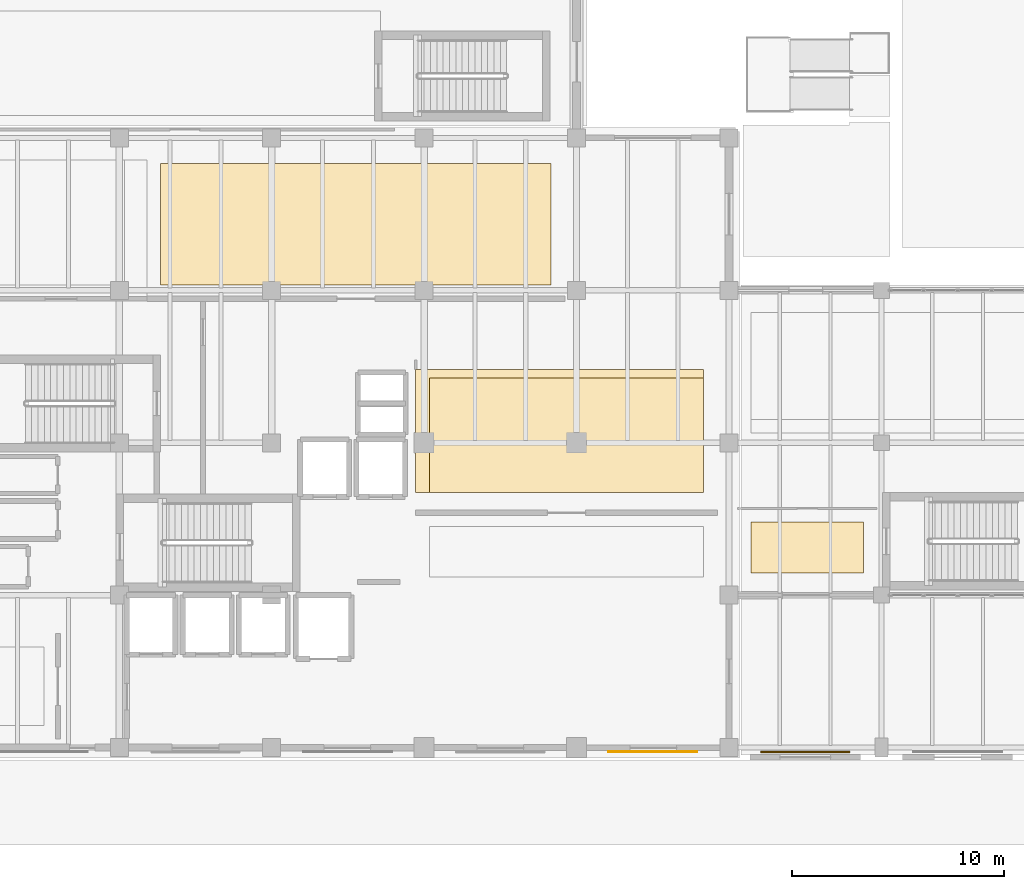
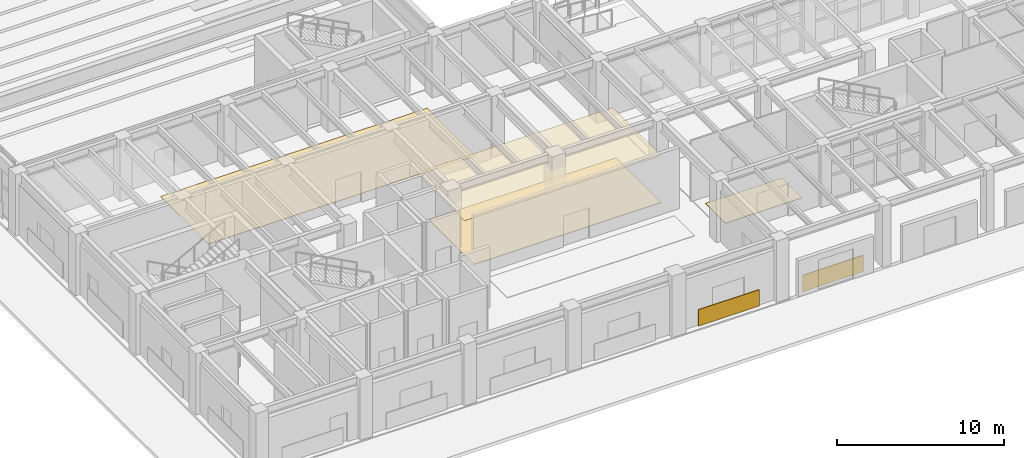
# One storey, part 34 of 39: 6 coverings.
"""IFC4 building model written with IfcOpenShell, lengths in metres."""

from ifc_helpers import new_model, si_unit, direction, frame, origin, origin_2d, place, context, subcontext, project, spatial, polyline, rectangle, outline, extrude, material, layer, layer_set, type_object, element, save


model = new_model("IFC4")

# Units and contexts
model_context = context("Model", 3, precision=1e-05, world=origin(), true_north=direction((0.0, 1.0)))
body_context = subcontext(model_context, "Body", "Model", "MODEL_VIEW")
ifc_project = project(units=[si_unit("LENGTHUNIT", "METRE"), si_unit("AREAUNIT", "SQUARE_METRE"), si_unit("VOLUMEUNIT", "CUBIC_METRE"), si_unit("PLANEANGLEUNIT", "RADIAN"), si_unit("MASSUNIT", "GRAM", prefix="KILO")], contexts=[model_context])

# Site, building, storey
site_placement = place(None, origin())
site = spatial("IfcSite", under=ifc_project, at=site_placement, CompositionType="ELEMENT")
building_placement = place(site_placement, origin())
building = spatial("IfcBuilding", under=site, at=building_placement, Name="Kandorven Conservatory and Botanical Research Centre", CompositionType="ELEMENT")
storey_placement = place(building_placement, origin())
storey = spatial("IfcBuildingStorey", under=building, at=storey_placement, Name="L00", CompositionType="ELEMENT", Elevation=0.0)

# Coverings
ifc_material_1 = material(Name="Dressed Dhrangadhra yellow sandstone cladding", Category="masonry")
ifc_layer_1 = layer(ifc_material_1, 0.044921875)
ifc_layer_set_1 = layer_set([ifc_layer_1], Name="Dressed Dhrangadhra yellow sandstone cladding")
covering_type_1 = type_object("IfcCoveringType", Name="Clad_Sandstone_1", PredefinedType="CLADDING", material=ifc_layer_set_1)
covering_1_placement = place(storey_placement, frame((38.39990234375, 5.797607421875, 0.0), z_axis=(0.0, 0.0, 1.0), x_axis=(1.0, 0.0, 0.0)))
element("IfcCovering", 1, at=covering_1_placement, inside=storey, type_object=covering_type_1, Name="Dhrangadhra sandstone plinth cladding panel S-05", PredefinedType="CLADDING", context=body_context, shape_type="SweptSolid", body=[
    extrude(rectangle(XDim=4.199951171875, YDim=0.044921875, at=origin_2d()), origin(), (0.0, 0.0, 1.0), 1.199951171875),
])
ifc_material_2 = material(Name="Dressed Dhrangadhra yellow sandstone cladding", Category="masonry")
ifc_layer_2 = layer(ifc_material_2, 0.054931640625)
ifc_layer_set_2 = layer_set([ifc_layer_2], Name="Dressed Dhrangadhra yellow sandstone cladding")
covering_type_2 = type_object("IfcCoveringType", Name="Clad_Sandstone_2", PredefinedType="CLADDING", material=ifc_layer_set_2)
covering_2_placement = place(storey_placement, frame((45.60009765625, 5.79248046875, 0.0), z_axis=(0.0, 0.0, 1.0), x_axis=(1.0, 0.0, 0.0)))
element("IfcCovering", 2, at=covering_2_placement, inside=storey, type_object=covering_type_2, Name="Dhrangadhra sandstone plinth cladding panel S-06", PredefinedType="CLADDING", context=body_context, shape_type="SweptSolid", body=[
    extrude(rectangle(XDim=4.199951171875, YDim=0.054931640625, at=origin_2d()), origin(), (0.0, 0.0, 1.0), 1.199951171875),
])
ifc_material_3 = material(Name="Perforated mineral-fibre acoustic ceiling tile", Category="gypsum")
ifc_layer_3 = layer(ifc_material_3, 0.0400390625)
ifc_layer_set_3 = layer_set([ifc_layer_3], Name="Perforated mineral-fibre acoustic ceiling tile")
covering_type_3 = type_object("IfcCoveringType", Name="Cov_Ceiling_1", PredefinedType="CEILING", material=ifc_layer_set_3)
covering_3_placement = place(storey_placement, frame((0.0, 0.0, 3.419921875)))
element("IfcCovering", 3, at=covering_3_placement, inside=storey, type_object=covering_type_3, Name="Suspended acoustic ceiling CLG-01 (Botanical Taxonomy Reception and Specimen Intake)", PredefinedType="CEILING", context=body_context, shape_type="SweptSolid", body=[
    extrude(outline(polyline([(27.199951171875, 18.050048828125), (40.800048828125, 18.050048828125), (40.800048828125, 23.85009765625), (27.199951171875, 23.85009765625), (27.199951171875, 18.050048828125)])), origin(), (0.0, 0.0, 1.0), 0.0400390625),
])
ifc_material_4 = material(Name="Honed Kota stone and epoxy laboratory flooring", Category="masonry")
ifc_layer_4 = layer(ifc_material_4, 0.02490234375)
ifc_layer_set_4 = layer_set([ifc_layer_4], Name="Honed Kota stone and epoxy laboratory flooring")
covering_type_4 = type_object("IfcCoveringType", Name="Cov_Flooring_1", PredefinedType="FLOORING", material=ifc_layer_set_4)
covering_4_placement = place(storey_placement, origin())
element("IfcCovering", 4, at=covering_4_placement, inside=storey, type_object=covering_type_4, Name="Floor finish FLR-01 (Botanical Taxonomy Reception and Specimen Intake)", PredefinedType="FLOORING", context=body_context, shape_type="SweptSolid", body=[
    extrude(outline(polyline([(27.85009765625, 18.050048828125), (40.800048828125, 18.050048828125), (40.800048828125, 23.449951171875), (27.85009765625, 23.449951171875), (27.85009765625, 18.050048828125)])), origin(), (0.0, 0.0, 1.0), 0.02490234375),
])
covering_5_placement = place(storey_placement, origin())
element("IfcCovering", 5, at=covering_5_placement, inside=storey, type_object=covering_type_4, Name="Floor finish FLR-01 (Herbarium Goods Receiving and Loading Bay)", PredefinedType="FLOORING", context=body_context, shape_type="SweptSolid", body=[
    extrude(outline(polyline([(15.14990234375, 27.85009765625), (33.60009765625, 27.85009765625), (33.60009765625, 33.60009765625), (15.14990234375, 33.60009765625), (15.14990234375, 27.85009765625)])), origin(), (0.0, 0.0, 1.0), 0.02490234375),
])
covering_6_placement = place(storey_placement, origin())
element("IfcCovering", 6, at=covering_6_placement, inside=storey, type_object=covering_type_4, Name="Floor finish FLR-01 (Visitor Centre and Ticketing Hall)", PredefinedType="FLOORING", context=body_context, shape_type="SweptSolid", body=[
    extrude(outline(polyline([(43.050048828125, 14.25), (48.35009765625, 14.25), (48.35009765625, 16.64990234375), (43.050048828125, 16.64990234375), (43.050048828125, 14.25)])), origin(), (0.0, 0.0, 1.0), 0.02490234375),
])

save(model, "model.ifc")
